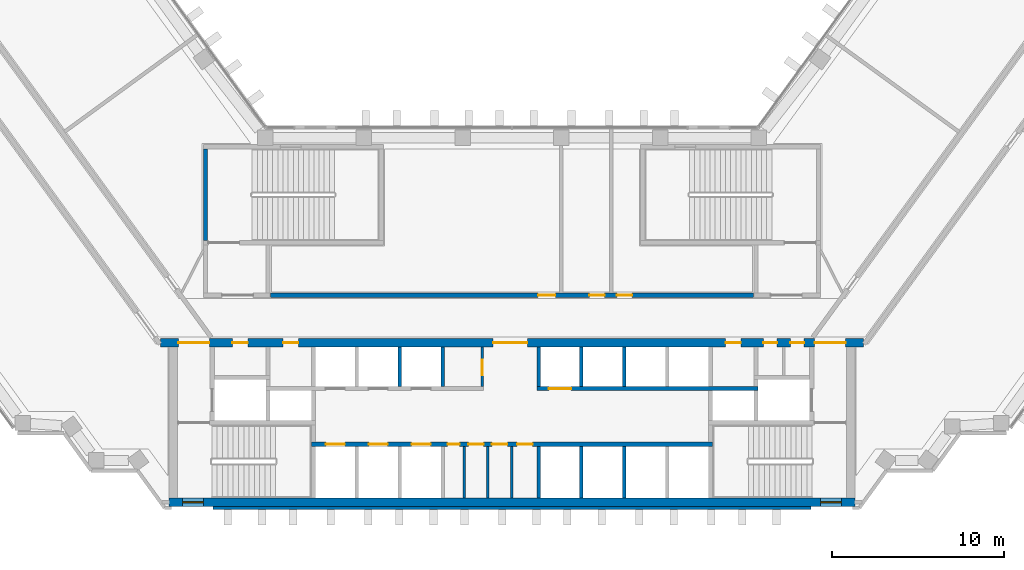
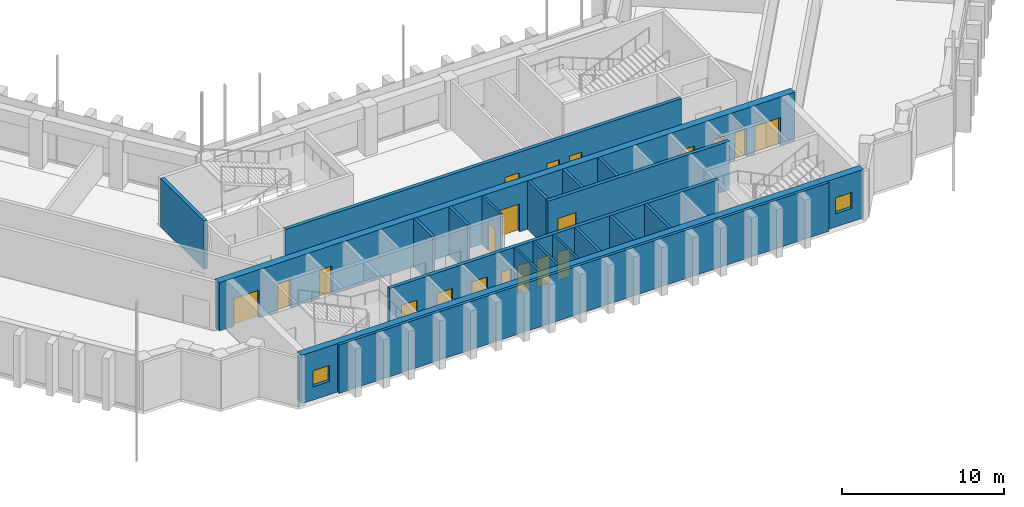
# One storey, part 10 of 16: 20 doors, 19 walls, 2 windows, 22 openings.
"""IFC4 building model written with IfcOpenShell, lengths in metres."""

from ifc_helpers import new_model, si_unit, direction, frame, frame_2d, origin, place, context, subcontext, project, spatial, rectangle, extrude, material, layer, layer_set, type_object, element, fill, save


model = new_model("IFC4")

# Units and contexts
model_context = context("Model", 3, precision=1e-05, world=origin(), true_north=direction((0.0, 1.0)))
body_context = subcontext(model_context, "Body", "Model", "MODEL_VIEW")
ifc_project = project(units=[si_unit("LENGTHUNIT", "METRE"), si_unit("AREAUNIT", "SQUARE_METRE"), si_unit("VOLUMEUNIT", "CUBIC_METRE"), si_unit("PLANEANGLEUNIT", "RADIAN"), si_unit("MASSUNIT", "GRAM", prefix="KILO")], contexts=[model_context])

# Site, building, storey
site_placement = place(None, origin())
site = spatial("IfcSite", under=ifc_project, at=site_placement, CompositionType="ELEMENT")
building_placement = place(site_placement, origin())
building = spatial("IfcBuilding", under=site, at=building_placement, Name="Quipu Civic Tower", CompositionType="ELEMENT")
storey_placement = place(building_placement, frame((0.0, 0.0, 125.0)))
storey = spatial("IfcBuildingStorey", under=building, at=storey_placement, Name="L29", CompositionType="ELEMENT", Elevation=125.0)

# Wall, openings, doors
ifc_material_1 = material(Name="Concrete C70/85", Category="concrete")
ifc_layer_1 = layer(ifc_material_1, 0.25)
ifc_layer_set_1 = layer_set([ifc_layer_1], Name="Concrete C70/85")
wall_type_1 = type_object("IfcWallType", Name="Core wall 250", PredefinedType="SHEAR", material=ifc_layer_set_1)
wall_1_placement = place(storey_placement, frame((11.699951171875, -7.375, 0.0), z_axis=(0.0, 0.0, 1.0), x_axis=(-1.0, 0.0, 0.0)))
wall_1 = element("IfcWall", 1, at=wall_1_placement, inside=storey, type_object=wall_type_1, Name="Core wall", PredefinedType="SHEAR", context=body_context, shape_type="SweptSolid", body=[
    extrude(rectangle(XDim=23.39990234375, YDim=0.25, at=frame_2d((11.699951171875, 0.0))), origin(), (0.0, 0.0, 1.0), 3.64990234375),
])
opening_1_placement = place(wall_1_placement, frame((21.449951171875, 0.0, 0.0)))
opening_1 = element("IfcOpeningElement", 2, at=opening_1_placement, cuts=wall_1, Name="Opening LD-LL1", PredefinedType="OPENING", context=body_context, shape_type="SweptSolid", body=[
    extrude(rectangle(XDim=1.10009765625, YDim=2.10009765625, at=frame_2d((0.550048828125, 1.050048828125))), frame((0.0, 0.135009765625, 0.0), z_axis=(0.0, -1.0, 0.0), x_axis=(1.0, 0.0, 0.0)), (0.0, 0.0, 1.0), 0.27001953125),
])
opening_2_placement = place(wall_1_placement, frame((18.949951171875, 0.0, 0.0)))
opening_2 = element("IfcOpeningElement", 3, at=opening_2_placement, cuts=wall_1, Name="Opening LD-LL2", PredefinedType="OPENING", context=body_context, shape_type="SweptSolid", body=[
    extrude(rectangle(XDim=1.10009765625, YDim=2.10009765625, at=frame_2d((0.550048828125, 1.050048828125))), frame((0.0, 0.135009765625, 0.0), z_axis=(0.0, -1.0, 0.0), x_axis=(1.0, 0.0, 0.0)), (0.0, 0.0, 1.0), 0.27001953125),
])
opening_3_placement = place(wall_1_placement, frame((16.449951171875, 0.0, 0.0)))
opening_3 = element("IfcOpeningElement", 4, at=opening_3_placement, cuts=wall_1, Name="Opening LD-LL3", PredefinedType="OPENING", context=body_context, shape_type="SweptSolid", body=[
    extrude(rectangle(XDim=1.10009765625, YDim=2.10009765625, at=frame_2d((0.550048828125, 1.050048828125))), frame((0.0, 0.135009765625, 0.0), z_axis=(0.0, -1.0, 0.0), x_axis=(1.0, 0.0, 0.0)), (0.0, 0.0, 1.0), 0.27001953125),
])
opening_4_placement = place(wall_1_placement, frame((14.75, 0.0, 0.0)))
opening_4 = element("IfcOpeningElement", 5, at=opening_4_placement, cuts=wall_1, Name="Opening CD-01", PredefinedType="OPENING", context=body_context, shape_type="SweptSolid", body=[
    extrude(rectangle(XDim=0.699951171875, YDim=2.10009765625, at=frame_2d((0.35009765625, 1.050048828125))), frame((0.0, 0.135009765625, 0.0), z_axis=(0.0, -1.0, 0.0), x_axis=(1.0, 0.0, 0.0)), (0.0, 0.0, 1.0), 0.27001953125),
])
opening_5_placement = place(wall_1_placement, frame((13.35009765625, 0.0, 0.0)))
opening_5 = element("IfcOpeningElement", 6, at=opening_5_placement, cuts=wall_1, Name="Opening CD-02", PredefinedType="OPENING", context=body_context, shape_type="SweptSolid", body=[
    extrude(rectangle(XDim=0.89990234375, YDim=2.10009765625, at=frame_2d((0.449951171875, 1.050048828125))), frame((0.0, 0.135009765625, 0.0), z_axis=(0.0, -1.0, 0.0), x_axis=(1.0, 0.0, 0.0)), (0.0, 0.0, 1.0), 0.27001953125),
])
opening_6_placement = place(wall_1_placement, frame((11.97509765625, 0.0, 0.0)))
opening_6 = element("IfcOpeningElement", 7, at=opening_6_placement, cuts=wall_1, Name="Opening CD-03", PredefinedType="OPENING", context=body_context, shape_type="SweptSolid", body=[
    extrude(rectangle(XDim=0.89990234375, YDim=2.10009765625, at=frame_2d((0.449951171875, 1.050048828125))), frame((0.0, 0.135009765625, 0.0), z_axis=(0.0, -1.0, 0.0), x_axis=(1.0, 0.0, 0.0)), (0.0, 0.0, 1.0), 0.27001953125),
])
opening_7_placement = place(wall_1_placement, frame((10.5, 0.0, 0.0)))
opening_7 = element("IfcOpeningElement", 8, at=opening_7_placement, cuts=wall_1, Name="Opening CD-04", PredefinedType="OPENING", context=body_context, shape_type="SweptSolid", body=[
    extrude(rectangle(XDim=0.89990234375, YDim=2.10009765625, at=frame_2d((0.449951171875, 1.050048828125))), frame((0.0, 0.135009765625, 0.0), z_axis=(0.0, -1.0, 0.0), x_axis=(1.0, 0.0, 0.0)), (0.0, 0.0, 1.0), 0.27001953125),
])
ifc_material_2 = material(Name="Fire rated steel door", Category="steel")
door_type_1 = type_object("IfcDoorType", Name="Fire door FD60 700 x 2100", OperationType="NOTDEFINED", PredefinedType="DOOR", material=ifc_material_2)
door_1_placement = place(opening_4_placement, origin())
door_1 = element("IfcDoor", 9, at=door_1_placement, inside=storey, type_object=door_type_1, Name="Door", OperationType="SINGLE_SWING_RIGHT", OverallHeight=2.10009765625, OverallWidth=0.699951171875, PredefinedType="DOOR", context=body_context, shape_type="SweptSolid", body=[
    extrude(rectangle(XDim=0.699951171875, YDim=2.10009765625, at=frame_2d((0.35009765625, 1.050048828125))), frame((0.0, 0.02490234375, 0.0), z_axis=(0.0, -1.0, 0.0), x_axis=(1.0, 0.0, 0.0)), (0.0, 0.0, 1.0), 0.050048828125),
])
fill(opening_4, door_1)
ifc_material_3 = material(Name="Fire rated steel door", Category="steel")
door_type_2 = type_object("IfcDoorType", Name="Fire door FD60 900 x 2100", OperationType="NOTDEFINED", PredefinedType="DOOR", material=ifc_material_3)
door_2_placement = place(opening_5_placement, origin())
door_2 = element("IfcDoor", 10, at=door_2_placement, inside=storey, type_object=door_type_2, Name="WC door", OperationType="SINGLE_SWING_RIGHT", OverallHeight=2.10009765625, OverallWidth=0.89990234375, PredefinedType="DOOR", context=body_context, shape_type="SweptSolid", body=[
    extrude(rectangle(XDim=0.89990234375, YDim=2.10009765625, at=frame_2d((0.449951171875, 1.050048828125))), frame((0.0, 0.02490234375, 0.0), z_axis=(0.0, -1.0, 0.0), x_axis=(1.0, 0.0, 0.0)), (0.0, 0.0, 1.0), 0.050048828125),
])
fill(opening_5, door_2)
door_3_placement = place(opening_6_placement, origin())
door_3 = element("IfcDoor", 11, at=door_3_placement, inside=storey, type_object=door_type_2, Name="WC door", OperationType="SINGLE_SWING_RIGHT", OverallHeight=2.10009765625, OverallWidth=0.89990234375, PredefinedType="DOOR", context=body_context, shape_type="SweptSolid", body=[
    extrude(rectangle(XDim=0.89990234375, YDim=2.10009765625, at=frame_2d((0.449951171875, 1.050048828125))), frame((0.0, 0.02490234375, 0.0), z_axis=(0.0, -1.0, 0.0), x_axis=(1.0, 0.0, 0.0)), (0.0, 0.0, 1.0), 0.050048828125),
])
fill(opening_6, door_3)
door_4_placement = place(opening_7_placement, origin())
door_4 = element("IfcDoor", 12, at=door_4_placement, inside=storey, type_object=door_type_2, Name="WC door", OperationType="SINGLE_SWING_LEFT", OverallHeight=2.10009765625, OverallWidth=0.89990234375, PredefinedType="DOOR", context=body_context, shape_type="SweptSolid", body=[
    extrude(rectangle(XDim=0.89990234375, YDim=2.10009765625, at=frame_2d((0.449951171875, 1.050048828125))), frame((0.0, 0.02490234375, 0.0), z_axis=(0.0, -1.0, 0.0), x_axis=(1.0, 0.0, 0.0)), (0.0, 0.0, 1.0), 0.050048828125),
])
fill(opening_7, door_4)
ifc_material_4 = material(Name="Stainless steel", Category="steel")
door_type_3 = type_object("IfcDoorType", Name="Lift landing door 1100 x 2100", OperationType="DOUBLE_DOOR_SLIDING", PredefinedType="DOOR", material=ifc_material_4)
door_5_placement = place(opening_1_placement, origin())
door_5 = element("IfcDoor", 13, at=door_5_placement, inside=storey, type_object=door_type_3, Name="Landing door LL1", OperationType="DOUBLE_DOOR_SLIDING", OverallHeight=2.10009765625, OverallWidth=1.10009765625, PredefinedType="DOOR", context=body_context, shape_type="SweptSolid", body=[
    extrude(rectangle(XDim=1.10009765625, YDim=2.10009765625, at=frame_2d((0.550048828125, 1.050048828125))), frame((0.0, 0.02490234375, 0.0), z_axis=(0.0, -1.0, 0.0), x_axis=(1.0, 0.0, 0.0)), (0.0, 0.0, 1.0), 0.050048828125),
])
fill(opening_1, door_5)
door_6_placement = place(opening_2_placement, origin())
door_6 = element("IfcDoor", 14, at=door_6_placement, inside=storey, type_object=door_type_3, Name="Landing door LL2", OperationType="DOUBLE_DOOR_SLIDING", OverallHeight=2.10009765625, OverallWidth=1.10009765625, PredefinedType="DOOR", context=body_context, shape_type="SweptSolid", body=[
    extrude(rectangle(XDim=1.10009765625, YDim=2.10009765625, at=frame_2d((0.550048828125, 1.050048828125))), frame((0.0, 0.02490234375, 0.0), z_axis=(0.0, -1.0, 0.0), x_axis=(1.0, 0.0, 0.0)), (0.0, 0.0, 1.0), 0.050048828125),
])
fill(opening_2, door_6)
door_7_placement = place(opening_3_placement, origin())
door_7 = element("IfcDoor", 15, at=door_7_placement, inside=storey, type_object=door_type_3, Name="Landing door LL3", OperationType="DOUBLE_DOOR_SLIDING", OverallHeight=2.10009765625, OverallWidth=1.10009765625, PredefinedType="DOOR", context=body_context, shape_type="SweptSolid", body=[
    extrude(rectangle(XDim=1.10009765625, YDim=2.10009765625, at=frame_2d((0.550048828125, 1.050048828125))), frame((0.0, 0.02490234375, 0.0), z_axis=(0.0, -1.0, 0.0), x_axis=(1.0, 0.0, 0.0)), (0.0, 0.0, 1.0), 0.050048828125),
])
fill(opening_3, door_7)

# Wall, opening, door
wall_2_placement = place(storey_placement, frame((1.449951171875, -4.125, 0.0), z_axis=(0.0, 0.0, 1.0), x_axis=(1.0, 0.0, 0.0)))
wall_2 = element("IfcWall", 16, at=wall_2_placement, inside=storey, type_object=wall_type_1, Name="Core wall", PredefinedType="SHEAR", context=body_context, shape_type="SweptSolid", body=[
    extrude(rectangle(XDim=12.900146484375, YDim=0.25, at=frame_2d((6.4501953125, 0.0))), origin(), (0.0, 0.0, 1.0), 3.64990234375),
])
opening_8_placement = place(wall_2_placement, frame((0.699951171875, 0.0, 0.0)))
opening_8 = element("IfcOpeningElement", 17, at=opening_8_placement, cuts=wall_2, Name="Opening LD-FF3", PredefinedType="OPENING", context=body_context, shape_type="SweptSolid", body=[
    extrude(rectangle(XDim=1.300048828125, YDim=2.10009765625, at=frame_2d((0.64990234375, 1.050048828125))), frame((0.0, 0.135009765625, 0.0), z_axis=(0.0, -1.0, 0.0), x_axis=(1.0, 0.0, 0.0)), (0.0, 0.0, 1.0), 0.27001953125),
])
ifc_material_5 = material(Name="Stainless steel", Category="steel")
door_type_4 = type_object("IfcDoorType", Name="Lift landing door 1300 x 2100", OperationType="DOUBLE_DOOR_SLIDING", PredefinedType="DOOR", material=ifc_material_5)
door_8_placement = place(opening_8_placement, origin())
door_8 = element("IfcDoor", 18, at=door_8_placement, inside=storey, type_object=door_type_4, Name="Landing door FF3", OperationType="DOUBLE_DOOR_SLIDING", OverallHeight=2.10009765625, OverallWidth=1.300048828125, PredefinedType="DOOR", context=body_context, shape_type="SweptSolid", body=[
    extrude(rectangle(XDim=1.300048828125, YDim=2.10009765625, at=frame_2d((0.64990234375, 1.050048828125))), frame((0.0, 0.02490234375, 0.0), z_axis=(0.0, -1.0, 0.0), x_axis=(1.0, 0.0, 0.0)), (0.0, 0.0, 1.0), 0.050048828125),
])
fill(opening_8, door_8)

# Wall
wall_3_placement = place(storey_placement, frame((-17.875, 4.5, 0.0), z_axis=(0.0, 0.0, 1.0), x_axis=(0.0, 1.0, 0.0)))
element("IfcWall", 19, at=wall_3_placement, inside=storey, type_object=wall_type_1, Name="Core wall", PredefinedType="SHEAR", context=body_context, shape_type="SweptSolid", body=[
    extrude(rectangle(XDim=5.35009765625, YDim=0.25, at=frame_2d((2.675048828125, 0.0))), origin(), (0.0, 0.0, 1.0), 3.64990234375),
])

# Wall, openings, windows
ifc_material_6 = material(Name="Concrete C70/85", Category="concrete")
ifc_layer_2 = layer(ifc_material_6, 0.5)
ifc_layer_set_2 = layer_set([ifc_layer_2], Name="Concrete C70/85")
wall_type_2 = type_object("IfcWallType", Name="Core wall 500", PredefinedType="SHEAR", material=ifc_layer_set_2)
wall_4_placement = place(storey_placement, frame((-20.0, -10.75, 0.0), z_axis=(0.0, 0.0, 1.0), x_axis=(1.0, 0.0, 0.0)))
wall_4 = element("IfcWall", 20, at=wall_4_placement, inside=storey, type_object=wall_type_2, Name="Core wall", PredefinedType="SHEAR", context=body_context, shape_type="SweptSolid", body=[
    extrude(rectangle(XDim=40.0, YDim=0.5, at=frame_2d((20.0, 0.0))), origin(), (0.0, 0.0, 1.0), 3.64990234375),
])
opening_9_placement = place(wall_4_placement, frame((0.800048828125, 0.0, 1.0)))
opening_9 = element("IfcOpeningElement", 21, at=opening_9_placement, cuts=wall_4, Name="Opening SV-1", PredefinedType="OPENING", context=body_context, shape_type="SweptSolid", body=[
    extrude(rectangle(XDim=1.199951171875, YDim=1.199951171875, at=frame_2d((0.60009765625, 0.60009765625))), frame((0.0, 0.260009765625, 0.0), z_axis=(0.0, -1.0, 0.0), x_axis=(1.0, 0.0, 0.0)), (0.0, 0.0, 1.0), 0.52001953125),
])
opening_10_placement = place(wall_4_placement, frame((38.0, 0.0, 1.0)))
opening_10 = element("IfcOpeningElement", 22, at=opening_10_placement, cuts=wall_4, Name="Opening SV-2", PredefinedType="OPENING", context=body_context, shape_type="SweptSolid", body=[
    extrude(rectangle(XDim=1.199951171875, YDim=1.199951171875, at=frame_2d((0.60009765625, 0.60009765625))), frame((0.0, 0.260009765625, 0.0), z_axis=(0.0, -1.0, 0.0), x_axis=(1.0, 0.0, 0.0)), (0.0, 0.0, 1.0), 0.52001953125),
])
ifc_material_7 = material(Name="Aluminium louvre", Category="aluminium")
window_type = type_object("IfcWindowType", Name="Stair ventilation louvre 1200 x 1200", PartitioningType="SINGLE_PANEL", PredefinedType="WINDOW", material=ifc_material_7)
window_1_placement = place(opening_9_placement, origin())
window_1 = element("IfcWindow", 23, at=window_1_placement, inside=storey, type_object=window_type, Name="Stair ventilation opening", OverallHeight=1.199951171875, OverallWidth=1.199951171875, PartitioningType="SINGLE_PANEL", PredefinedType="WINDOW", context=body_context, shape_type="SweptSolid", body=[
    extrude(rectangle(XDim=1.199951171875, YDim=1.199951171875, at=frame_2d((0.60009765625, 0.60009765625))), frame((0.0, 0.030029296875, 0.0), z_axis=(0.0, -1.0, 0.0), x_axis=(1.0, 0.0, 0.0)), (0.0, 0.0, 1.0), 0.06005859375),
])
fill(opening_9, window_1)
window_2_placement = place(opening_10_placement, origin())
window_2 = element("IfcWindow", 24, at=window_2_placement, inside=storey, type_object=window_type, Name="Stair ventilation opening", OverallHeight=1.199951171875, OverallWidth=1.199951171875, PartitioningType="SINGLE_PANEL", PredefinedType="WINDOW", context=body_context, shape_type="SweptSolid", body=[
    extrude(rectangle(XDim=1.199951171875, YDim=1.199951171875, at=frame_2d((0.60009765625, 0.60009765625))), frame((0.0, 0.030029296875, 0.0), z_axis=(0.0, -1.0, 0.0), x_axis=(1.0, 0.0, 0.0)), (0.0, 0.0, 1.0), 0.06005859375),
])
fill(opening_10, window_2)

# Wall, openings, doors
wall_5_placement = place(storey_placement, frame((20.489990234375, -1.449951171875, 0.0), z_axis=(0.0, 0.0, 1.0), x_axis=(-1.0, 0.0, 0.0)))
wall_5 = element("IfcWall", 25, at=wall_5_placement, inside=storey, type_object=wall_type_2, Name="Core wall", PredefinedType="SHEAR", context=body_context, shape_type="SweptSolid", body=[
    extrude(rectangle(XDim=40.97998046875, YDim=0.5, at=frame_2d((20.489990234375, 0.0))), origin(), (0.0, 0.0, 1.0), 3.64990234375),
])
opening_11_placement = place(wall_5_placement, frame((38.139892578125, 0.0, 0.0)))
opening_11 = element("IfcOpeningElement", 26, at=opening_11_placement, cuts=wall_5, Name="Opening CD-08", PredefinedType="OPENING", context=body_context, shape_type="SweptSolid", body=[
    extrude(rectangle(XDim=1.800048828125, YDim=2.10009765625, at=frame_2d((0.89990234375, 1.050048828125))), frame((0.0, 0.260009765625, 0.0), z_axis=(0.0, -1.0, 0.0), x_axis=(1.0, 0.0, 0.0)), (0.0, 0.0, 1.0), 0.52001953125),
])
opening_12_placement = place(wall_5_placement, frame((35.889892578125, 0.0, 0.0)))
opening_12 = element("IfcOpeningElement", 27, at=opening_12_placement, cuts=wall_5, Name="Opening CD-09", PredefinedType="OPENING", context=body_context, shape_type="SweptSolid", body=[
    extrude(rectangle(XDim=0.89990234375, YDim=2.10009765625, at=frame_2d((0.449951171875, 1.050048828125))), frame((0.0, 0.260009765625, 0.0), z_axis=(0.0, -1.0, 0.0), x_axis=(1.0, 0.0, 0.0)), (0.0, 0.0, 1.0), 0.52001953125),
])
opening_13_placement = place(wall_5_placement, frame((32.93994140625, 0.0, 0.0)))
opening_13 = element("IfcOpeningElement", 28, at=opening_13_placement, cuts=wall_5, Name="Opening CD-10", PredefinedType="OPENING", context=body_context, shape_type="SweptSolid", body=[
    extrude(rectangle(XDim=0.89990234375, YDim=2.10009765625, at=frame_2d((0.449951171875, 1.050048828125))), frame((0.0, 0.260009765625, 0.0), z_axis=(0.0, -1.0, 0.0), x_axis=(1.0, 0.0, 0.0)), (0.0, 0.0, 1.0), 0.52001953125),
])
opening_14_placement = place(wall_5_placement, frame((19.590087890625, 0.0, 0.0)))
opening_14 = element("IfcOpeningElement", 29, at=opening_14_placement, cuts=wall_5, Name="Opening CD-11", PredefinedType="OPENING", context=body_context, shape_type="SweptSolid", body=[
    extrude(rectangle(XDim=2.0, YDim=2.10009765625, at=frame_2d((1.0, 1.050048828125))), frame((0.0, 0.260009765625, 0.0), z_axis=(0.0, -1.0, 0.0), x_axis=(1.0, 0.0, 0.0)), (0.0, 0.0, 1.0), 0.52001953125),
])
opening_15_placement = place(wall_5_placement, frame((7.139892578125, 0.0, 0.0)))
opening_15 = element("IfcOpeningElement", 30, at=opening_15_placement, cuts=wall_5, Name="Opening CD-12", PredefinedType="OPENING", context=body_context, shape_type="SweptSolid", body=[
    extrude(rectangle(XDim=0.89990234375, YDim=2.10009765625, at=frame_2d((0.449951171875, 1.050048828125))), frame((0.0, 0.260009765625, 0.0), z_axis=(0.0, -1.0, 0.0), x_axis=(1.0, 0.0, 0.0)), (0.0, 0.0, 1.0), 0.52001953125),
])
opening_16_placement = place(wall_5_placement, frame((5.027587890625, 0.0, 0.0)))
opening_16 = element("IfcOpeningElement", 31, at=opening_16_placement, cuts=wall_5, Name="Opening CD-13", PredefinedType="OPENING", context=body_context, shape_type="SweptSolid", body=[
    extrude(rectangle(XDim=0.800048828125, YDim=2.10009765625, at=frame_2d((0.39990234375, 1.050048828125))), frame((0.0, 0.260009765625, 0.0), z_axis=(0.0, -1.0, 0.0), x_axis=(1.0, 0.0, 0.0)), (0.0, 0.0, 1.0), 0.52001953125),
])
opening_17_placement = place(wall_5_placement, frame((3.452392578125, 0.0, 0.0)))
opening_17 = element("IfcOpeningElement", 32, at=opening_17_placement, cuts=wall_5, Name="Opening CD-14", PredefinedType="OPENING", context=body_context, shape_type="SweptSolid", body=[
    extrude(rectangle(XDim=0.800048828125, YDim=2.10009765625, at=frame_2d((0.39990234375, 1.050048828125))), frame((0.0, 0.260009765625, 0.0), z_axis=(0.0, -1.0, 0.0), x_axis=(1.0, 0.0, 0.0)), (0.0, 0.0, 1.0), 0.52001953125),
])
opening_18_placement = place(wall_5_placement, frame((1.0400390625, 0.0, 0.0)))
opening_18 = element("IfcOpeningElement", 33, at=opening_18_placement, cuts=wall_5, Name="Opening CD-15", PredefinedType="OPENING", context=body_context, shape_type="SweptSolid", body=[
    extrude(rectangle(XDim=1.800048828125, YDim=2.10009765625, at=frame_2d((0.89990234375, 1.050048828125))), frame((0.0, 0.260009765625, 0.0), z_axis=(0.0, -1.0, 0.0), x_axis=(1.0, 0.0, 0.0)), (0.0, 0.0, 1.0), 0.52001953125),
])
ifc_material_8 = material(Name="Fire rated steel door", Category="steel")
door_type_5 = type_object("IfcDoorType", Name="Fire door FD60 800 x 2100", OperationType="NOTDEFINED", PredefinedType="DOOR", material=ifc_material_8)
door_9_placement = place(opening_16_placement, origin())
door_9 = element("IfcDoor", 34, at=door_9_placement, inside=storey, type_object=door_type_5, Name="Door", OperationType="SINGLE_SWING_LEFT", OverallHeight=2.10009765625, OverallWidth=0.800048828125, PredefinedType="DOOR", context=body_context, shape_type="SweptSolid", body=[
    extrude(rectangle(XDim=0.800048828125, YDim=2.10009765625, at=frame_2d((0.39990234375, 1.050048828125))), frame((0.0, 0.02490234375, 0.0), z_axis=(0.0, -1.0, 0.0), x_axis=(1.0, 0.0, 0.0)), (0.0, 0.0, 1.0), 0.050048828125),
])
fill(opening_16, door_9)
door_10_placement = place(opening_17_placement, origin())
door_10 = element("IfcDoor", 35, at=door_10_placement, inside=storey, type_object=door_type_5, Name="Door", OperationType="SINGLE_SWING_LEFT", OverallHeight=2.10009765625, OverallWidth=0.800048828125, PredefinedType="DOOR", context=body_context, shape_type="SweptSolid", body=[
    extrude(rectangle(XDim=0.800048828125, YDim=2.10009765625, at=frame_2d((0.39990234375, 1.050048828125))), frame((0.0, 0.02490234375, 0.0), z_axis=(0.0, -1.0, 0.0), x_axis=(1.0, 0.0, 0.0)), (0.0, 0.0, 1.0), 0.050048828125),
])
fill(opening_17, door_10)
door_11_placement = place(opening_12_placement, origin())
door_11 = element("IfcDoor", 36, at=door_11_placement, inside=storey, type_object=door_type_2, Name="Door", OperationType="SINGLE_SWING_RIGHT", OverallHeight=2.10009765625, OverallWidth=0.89990234375, PredefinedType="DOOR", context=body_context, shape_type="SweptSolid", body=[
    extrude(rectangle(XDim=0.89990234375, YDim=2.10009765625, at=frame_2d((0.449951171875, 1.050048828125))), frame((0.0, 0.02490234375, 0.0), z_axis=(0.0, -1.0, 0.0), x_axis=(1.0, 0.0, 0.0)), (0.0, 0.0, 1.0), 0.050048828125),
])
fill(opening_12, door_11)
door_12_placement = place(opening_13_placement, origin())
door_12 = element("IfcDoor", 37, at=door_12_placement, inside=storey, type_object=door_type_2, Name="Riser door", OperationType="SINGLE_SWING_RIGHT", OverallHeight=2.10009765625, OverallWidth=0.89990234375, PredefinedType="DOOR", context=body_context, shape_type="SweptSolid", body=[
    extrude(rectangle(XDim=0.89990234375, YDim=2.10009765625, at=frame_2d((0.449951171875, 1.050048828125))), frame((0.0, 0.02490234375, 0.0), z_axis=(0.0, -1.0, 0.0), x_axis=(1.0, 0.0, 0.0)), (0.0, 0.0, 1.0), 0.050048828125),
])
fill(opening_13, door_12)
door_13_placement = place(opening_15_placement, origin())
door_13 = element("IfcDoor", 38, at=door_13_placement, inside=storey, type_object=door_type_2, Name="Riser door", OperationType="SINGLE_SWING_LEFT", OverallHeight=2.10009765625, OverallWidth=0.89990234375, PredefinedType="DOOR", context=body_context, shape_type="SweptSolid", body=[
    extrude(rectangle(XDim=0.89990234375, YDim=2.10009765625, at=frame_2d((0.449951171875, 1.050048828125))), frame((0.0, 0.02490234375, 0.0), z_axis=(0.0, -1.0, 0.0), x_axis=(1.0, 0.0, 0.0)), (0.0, 0.0, 1.0), 0.050048828125),
])
fill(opening_15, door_13)
ifc_material_9 = material(Name="Fire rated steel door", Category="steel")
door_type_6 = type_object("IfcDoorType", Name="Fire door FD90 double 1800 x 2100", OperationType="NOTDEFINED", PredefinedType="DOOR", material=ifc_material_9)
door_14_placement = place(opening_11_placement, origin())
door_14 = element("IfcDoor", 39, at=door_14_placement, inside=storey, type_object=door_type_6, Name="Lobby door", OperationType="DOUBLE_DOOR_SINGLE_SWING", OverallHeight=2.10009765625, OverallWidth=1.800048828125, PredefinedType="DOOR", context=body_context, shape_type="SweptSolid", body=[
    extrude(rectangle(XDim=1.800048828125, YDim=2.10009765625, at=frame_2d((0.89990234375, 1.050048828125))), frame((0.0, 0.02490234375, 0.0), z_axis=(0.0, -1.0, 0.0), x_axis=(1.0, 0.0, 0.0)), (0.0, 0.0, 1.0), 0.050048828125),
])
fill(opening_11, door_14)
door_15_placement = place(opening_18_placement, origin())
door_15 = element("IfcDoor", 40, at=door_15_placement, inside=storey, type_object=door_type_6, Name="Lobby door", OperationType="DOUBLE_DOOR_SINGLE_SWING", OverallHeight=2.10009765625, OverallWidth=1.800048828125, PredefinedType="DOOR", context=body_context, shape_type="SweptSolid", body=[
    extrude(rectangle(XDim=1.800048828125, YDim=2.10009765625, at=frame_2d((0.89990234375, 1.050048828125))), frame((0.0, 0.02490234375, 0.0), z_axis=(0.0, -1.0, 0.0), x_axis=(1.0, 0.0, 0.0)), (0.0, 0.0, 1.0), 0.050048828125),
])
fill(opening_18, door_15)
ifc_material_10 = material(Name="Fire rated steel door", Category="steel")
door_type_7 = type_object("IfcDoorType", Name="Fire door FD90 double 2000 x 2100", OperationType="NOTDEFINED", PredefinedType="DOOR", material=ifc_material_10)
door_16_placement = place(opening_14_placement, origin())
door_16 = element("IfcDoor", 41, at=door_16_placement, inside=storey, type_object=door_type_7, Name="Lobby door", OperationType="DOUBLE_DOOR_SINGLE_SWING", OverallHeight=2.10009765625, OverallWidth=2.0, PredefinedType="DOOR", context=body_context, shape_type="SweptSolid", body=[
    extrude(rectangle(XDim=2.0, YDim=2.10009765625, at=frame_2d((1.0, 1.050048828125))), frame((0.0, 0.02490234375, 0.0), z_axis=(0.0, -1.0, 0.0), x_axis=(1.0, 0.0, 0.0)), (0.0, 0.0, 1.0), 0.050048828125),
])
fill(opening_14, door_16)

ifc_material_11 = material(Name="Concrete C50/60", Category="concrete")
ifc_layer_3 = layer(ifc_material_11, 0.25)
ifc_layer_set_3 = layer_set([ifc_layer_3], Name="Concrete C50/60")
wall_type_3 = type_object("IfcWallType", Name="Corridor wall 250 concrete", PredefinedType="SOLIDWALL", material=ifc_layer_set_3)
wall_6_placement = place(storey_placement, frame((-14.090087890625, 1.324951171875, 0.0), z_axis=(0.0, 0.0, 1.0), x_axis=(1.0, 0.0, 0.0)))
wall_6 = element("IfcWall", 42, at=wall_6_placement, inside=storey, type_object=wall_type_3, Name="Corridor wall C04", PredefinedType="SOLIDWALL", context=body_context, shape_type="SweptSolid", body=[
    extrude(rectangle(XDim=28.18017578125, YDim=0.25, at=frame_2d((14.090087890625, 0.0))), origin(), (0.0, 0.0, 1.0), 3.64990234375),
])
opening_19_placement = place(wall_6_placement, frame((20.197998046875, 0.0, 0.0)))
opening_19 = element("IfcOpeningElement", 43, at=opening_19_placement, cuts=wall_6, Name="Opening D008", PredefinedType="OPENING", context=body_context, shape_type="SweptSolid", body=[
    extrude(rectangle(XDim=0.89990234375, YDim=2.10009765625, at=frame_2d((0.449951171875, 1.050048828125))), frame((0.0, 0.135009765625, 0.0), z_axis=(0.0, -1.0, 0.0), x_axis=(1.0, 0.0, 0.0)), (0.0, 0.0, 1.0), 0.27001953125),
])
opening_20_placement = place(wall_6_placement, frame((15.618896484375, 0.0, 0.0)))
opening_20 = element("IfcOpeningElement", 44, at=opening_20_placement, cuts=wall_6, Name="Opening D006", PredefinedType="OPENING", context=body_context, shape_type="SweptSolid", body=[
    extrude(rectangle(XDim=1.0, YDim=2.10009765625, at=frame_2d((0.5, 1.050048828125))), frame((0.0, 0.135009765625, 0.0), z_axis=(0.0, -1.0, 0.0), x_axis=(1.0, 0.0, 0.0)), (0.0, 0.0, 1.0), 0.27001953125),
])
opening_21_placement = place(wall_6_placement, frame((18.597900390625, 0.0, 0.0)))
opening_21 = element("IfcOpeningElement", 45, at=opening_21_placement, cuts=wall_6, Name="Opening D007", PredefinedType="OPENING", context=body_context, shape_type="SweptSolid", body=[
    extrude(rectangle(XDim=0.89990234375, YDim=2.10009765625, at=frame_2d((0.449951171875, 1.050048828125))), frame((0.0, 0.135009765625, 0.0), z_axis=(0.0, -1.0, 0.0), x_axis=(1.0, 0.0, 0.0)), (0.0, 0.0, 1.0), 0.27001953125),
])
ifc_material_12 = material(Name="Fire rated timber door set with metal frame", Category="wood")
door_type_8 = type_object("IfcDoorType", Name="Single door 1000 x 2100 FD60", OperationType="NOTDEFINED", PredefinedType="DOOR", material=ifc_material_12)
door_17_placement = place(opening_20_placement, origin())
door_17 = element("IfcDoor", 46, at=door_17_placement, inside=storey, type_object=door_type_8, Name="Door D006", OperationType="SINGLE_SWING_RIGHT", OverallHeight=2.10009765625, OverallWidth=1.0, PredefinedType="DOOR", context=body_context, shape_type="SweptSolid", body=[
    extrude(rectangle(XDim=1.0, YDim=2.10009765625, at=frame_2d((0.5, 1.050048828125))), frame((0.0, 0.02490234375, 0.0), z_axis=(0.0, -1.0, 0.0), x_axis=(1.0, 0.0, 0.0)), (0.0, 0.0, 1.0), 0.050048828125),
])
fill(opening_20, door_17)
ifc_material_13 = material(Name="Fire rated timber door set with metal frame", Category="wood")
door_type_9 = type_object("IfcDoorType", Name="Single door 900 x 2100 FD60", OperationType="NOTDEFINED", PredefinedType="DOOR", material=ifc_material_13)
door_18_placement = place(opening_19_placement, origin())
door_18 = element("IfcDoor", 47, at=door_18_placement, inside=storey, type_object=door_type_9, Name="Door D008", OperationType="SINGLE_SWING_LEFT", OverallHeight=2.10009765625, OverallWidth=0.89990234375, PredefinedType="DOOR", context=body_context, shape_type="SweptSolid", body=[
    extrude(rectangle(XDim=0.89990234375, YDim=2.10009765625, at=frame_2d((0.449951171875, 1.050048828125))), frame((0.0, 0.02490234375, 0.0), z_axis=(0.0, -1.0, 0.0), x_axis=(1.0, 0.0, 0.0)), (0.0, 0.0, 1.0), 0.050048828125),
])
fill(opening_19, door_18)
door_19_placement = place(opening_21_placement, origin())
door_19 = element("IfcDoor", 48, at=door_19_placement, inside=storey, type_object=door_type_9, Name="Door D007", OperationType="SINGLE_SWING_RIGHT", OverallHeight=2.10009765625, OverallWidth=0.89990234375, PredefinedType="DOOR", context=body_context, shape_type="SweptSolid", body=[
    extrude(rectangle(XDim=0.89990234375, YDim=2.10009765625, at=frame_2d((0.449951171875, 1.050048828125))), frame((0.0, 0.02490234375, 0.0), z_axis=(0.0, -1.0, 0.0), x_axis=(1.0, 0.0, 0.0)), (0.0, 0.0, 1.0), 0.050048828125),
])
fill(opening_21, door_19)

# Walls
ifc_material_14 = material(Name="Gypsum board partition")
ifc_layer_4 = layer(ifc_material_14, 0.14990234375)
ifc_layer_set_4 = layer_set([ifc_layer_4], Name="Gypsum board partition")
wall_type_4 = type_object("IfcWallType", Name="Partition 150", PredefinedType="PARTITIONING", material=ifc_layer_set_4)
for number, where, z_axis, x_axis, name in (
    (49, (-2.77490234375, -10.5, 0.0), (0.0, 0.0, 1.0), (0.0, 1.0, 0.0), "Partition"),
    (50, (-1.425048828125, -10.5, 0.0), (0.0, 0.0, 1.0), (0.0, 1.0, 0.0), "Partition"),
    (51, (-0.02490234375, -10.5, 0.0), (0.0, 0.0, 1.0), (0.0, 1.0, 0.0), "Partition"),
):
    element("IfcWall", number, at=place(storey_placement, frame(where, z_axis=z_axis, x_axis=x_axis)), inside=storey, type_object=wall_type_4, Name=name, PredefinedType="PARTITIONING", context=body_context, shape_type="SweptSolid", body=[
        extrude(rectangle(XDim=3.0, YDim=0.14990234375, at=frame_2d((1.5, 0.0))), origin(), (0.0, 0.0, 1.0), 3.64990234375),
    ])

# Wall, opening, door
wall_7_placement = place(storey_placement, frame((-1.72509765625, -1.699951171875, 0.0), z_axis=(0.0, 0.0, 1.0), x_axis=(0.0, -1.0, 0.0)))
wall_7 = element("IfcWall", 52, at=wall_7_placement, inside=storey, type_object=wall_type_4, Name="Partition", PredefinedType="PARTITIONING", context=body_context, shape_type="SweptSolid", body=[
    extrude(rectangle(XDim=2.300048828125, YDim=0.14990234375, at=frame_2d((1.14990234375, 0.0))), origin(), (0.0, 0.0, 1.0), 3.64990234375),
])
opening_22_placement = place(wall_7_placement, frame((0.75, 0.0, 0.0)))
opening_22 = element("IfcOpeningElement", 53, at=opening_22_placement, cuts=wall_7, Name="Opening CD-07", PredefinedType="OPENING", context=body_context, shape_type="SweptSolid", body=[
    extrude(rectangle(XDim=0.89990234375, YDim=2.10009765625, at=frame_2d((0.449951171875, 1.050048828125))), frame((0.0, 0.0849609375, 0.0), z_axis=(0.0, -1.0, 0.0), x_axis=(1.0, 0.0, 0.0)), (0.0, 0.0, 1.0), 0.169921875),
])
door_20_placement = place(opening_22_placement, origin())
door_20 = element("IfcDoor", 54, at=door_20_placement, inside=storey, type_object=door_type_2, Name="WC door", OperationType="SINGLE_SWING_RIGHT", OverallHeight=2.10009765625, OverallWidth=0.89990234375, PredefinedType="DOOR", context=body_context, shape_type="SweptSolid", body=[
    extrude(rectangle(XDim=0.89990234375, YDim=2.10009765625, at=frame_2d((0.449951171875, 1.050048828125))), frame((0.0, 0.02490234375, 0.0), z_axis=(0.0, -1.0, 0.0), x_axis=(1.0, 0.0, 0.0)), (0.0, 0.0, 1.0), 0.050048828125),
])
fill(opening_22, door_20)

# Walls
ifc_material_15 = material(Name="Precast concrete C40/50", Category="concrete")
wall_type_5 = type_object("IfcWallType", Name="Precast cladding wall", PredefinedType="SOLIDWALL", material=ifc_material_15)
wall_8_placement = place(storey_placement, frame((-17.44384765625, -11.087890625, 0.0), z_axis=(0.0, 0.0, 1.0), x_axis=(1.0, 0.0, 0.0)))
element("IfcWall", 55, at=wall_8_placement, inside=storey, type_object=wall_type_5, Name="Precast cladding wall L29 P20", PredefinedType="SOLIDWALL", context=body_context, shape_type="SweptSolid", body=[
    extrude(rectangle(XDim=34.8876953125, YDim=0.199951171875, at=frame_2d((17.44384765625, 0.0))), origin(), (0.0, 0.0, 1.0), 3.64990234375),
])
ifc_material_16 = material(Name="Concrete C40/50", Category="concrete")
ifc_layer_5 = layer(ifc_material_16, 0.199951171875)
ifc_layer_set_5 = layer_set([ifc_layer_5], Name="Concrete C40/50")
wall_type_6 = type_object("IfcWallType", Name="Shaft wall 200", PredefinedType="SOLIDWALL", material=ifc_layer_set_5)
for number, where, z_axis, x_axis, name in (
    (56, (1.550048828125, -10.5, 0.0), (0.0, 0.0, 1.0), (0.0, 1.0, 0.0), "Shaft wall"),
    (57, (4.050048828125, -10.5, 0.0), (0.0, 0.0, 1.0), (0.0, 1.0, 0.0), "Shaft wall"),
    (58, (6.550048828125, -10.5, 0.0), (0.0, 0.0, 1.0), (0.0, 1.0, 0.0), "Shaft wall"),
):
    element("IfcWall", number, at=place(storey_placement, frame(where, z_axis=z_axis, x_axis=x_axis)), inside=storey, type_object=wall_type_6, Name=name, PredefinedType="SOLIDWALL", context=body_context, shape_type="SweptSolid", body=[
        extrude(rectangle(XDim=3.0, YDim=0.199951171875, at=frame_2d((1.5, 0.0))), origin(), (0.0, 0.0, 1.0), 3.64990234375),
    ])
for number, where, z_axis, x_axis, name in (
    (59, (-6.550048828125, -4.0, 0.0), (0.0, 0.0, 1.0), (0.0, 1.0, 0.0), "Shaft wall"),
    (60, (-4.050048828125, -4.0, 0.0), (0.0, 0.0, 1.0), (0.0, 1.0, 0.0), "Shaft wall"),
    (61, (1.550048828125, -4.0, 0.0), (0.0, 0.0, 1.0), (0.0, 1.0, 0.0), "Shaft wall"),
    (62, (4.050048828125, -4.0, 0.0), (0.0, 0.0, 1.0), (0.0, 1.0, 0.0), "Shaft wall"),
    (63, (6.550048828125, -4.0, 0.0), (0.0, 0.0, 1.0), (0.0, 1.0, 0.0), "Shaft wall"),
):
    element("IfcWall", number, at=place(storey_placement, frame(where, z_axis=z_axis, x_axis=x_axis)), inside=storey, type_object=wall_type_6, Name=name, PredefinedType="SOLIDWALL", context=body_context, shape_type="SweptSolid", body=[
        extrude(rectangle(XDim=2.300048828125, YDim=0.199951171875, at=frame_2d((1.14990234375, 0.0))), origin(), (0.0, 0.0, 1.0), 3.64990234375),
    ])

save(model, "model.ifc")
